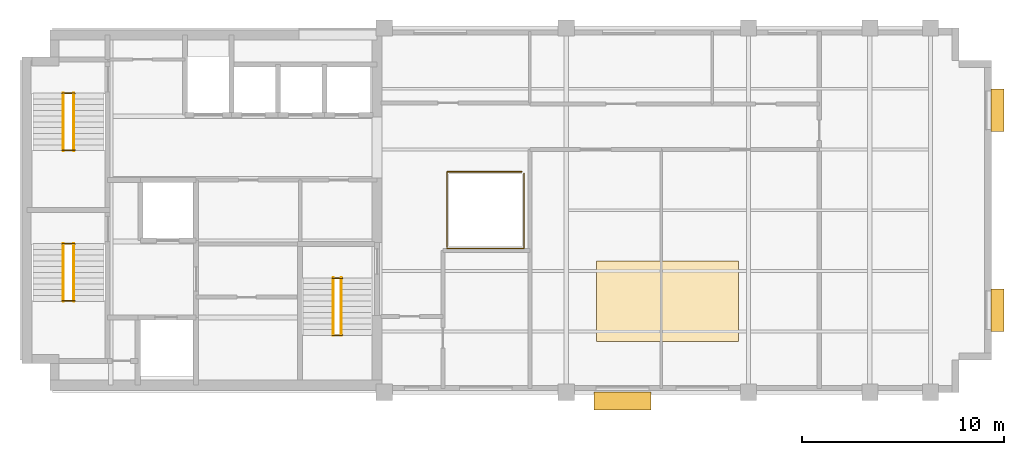
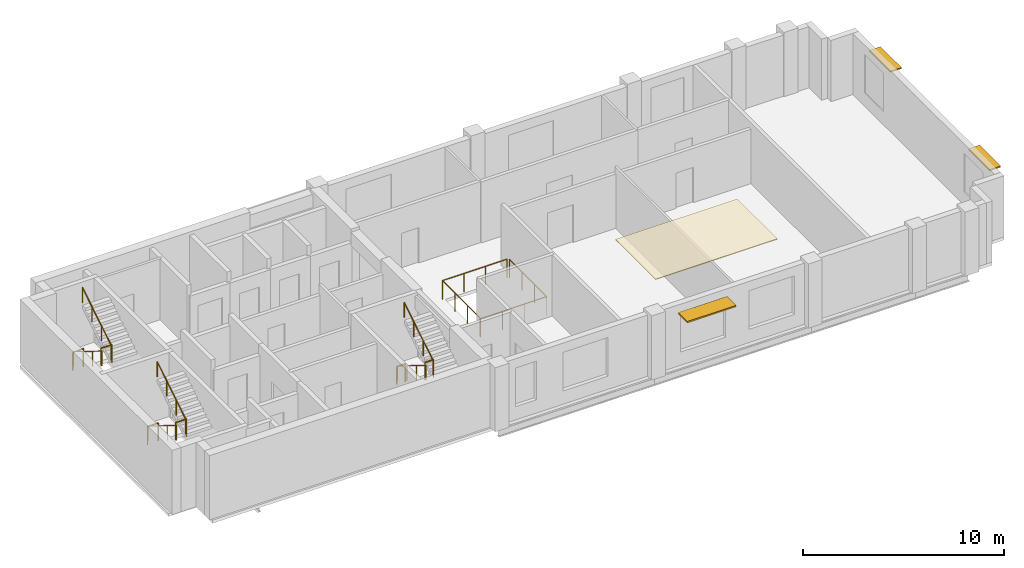
# One storey, part 5 of 5: 14 railings, 3 shading devices, 1 covering.
"""IFC4 building model written with IfcOpenShell, lengths in metres."""

import ifcopenshell
import ifcopenshell.guid

model = None  # the IFC model being written
_history = None  # IfcOwnerHistory: only IFC2X3 demands one
_inside = {}  # id of a spatial element -> (the spatial element, [elements in it])
_under = {}  # id of a project, library or spatial element -> (it, [spatial elements below it])
_declared = {}  # id of a project -> (the project, [libraries it declares])
_typed = {}  # id of a type object -> (the type object, [elements of that type])
_made_of = {}  # id of a material, layer set ... -> (it, [elements and type objects made of it])


def new_model(schema):
    """Start an empty IFC model of exactly this schema.

    Asked for "IFC4X3", IfcOpenShell would pick the latest addendum, in which some entities
    have other attributes; the version numbers below select the first issue.
    IFC2X3 requires an IfcOwnerHistory on every rooted entity: one is made here for all.
    """
    global model, _history
    if schema == "IFC4X3":
        model = ifcopenshell.file(schema_version=(4, 3, 0, 0))
    else:
        model = ifcopenshell.file(schema=schema)
    _inside.clear()
    _under.clear()
    _declared.clear()
    _typed.clear()
    _made_of.clear()
    _history = None
    if model.schema == "IFC2X3":
        org = make("IfcOrganization", Name="unknown")
        user = make(
            "IfcPersonAndOrganization",
            ThePerson=make("IfcPerson", FamilyName="unknown"),
            TheOrganization=org,
        )
        app = make(
            "IfcApplication",
            ApplicationDeveloper=org,
            Version="unknown",
            ApplicationFullName="unknown",
            ApplicationIdentifier="unknown",
        )
        _history = make(
            "IfcOwnerHistory",
            OwningUser=user,
            OwningApplication=app,
            ChangeAction="ADDED",
            CreationDate=0,
        )
    return model


def make(cls, **values):
    """One entity of the class cls with the attributes given. An attribute that is None is left unset."""
    return model.create_entity(
        cls, **{name: value for name, value in values.items() if value is not None}
    )


def rooted(cls, **values):
    """An entity with a GlobalId (a new one), such as an element, a storey or a relation."""
    return make(cls, GlobalId=ifcopenshell.guid.new(), OwnerHistory=_history, **values)


def si_unit(unit_type, name, prefix=None):
    """IfcSIUnit, for example si_unit("LENGTHUNIT", "METRE", prefix="MILLI")."""
    return make("IfcSIUnit", UnitType=unit_type, Prefix=prefix, Name=name)


def assignment(units):
    """IfcUnitAssignment: the units of a project."""
    return None if units is None else make("IfcUnitAssignment", Units=units)


def point(xyz):
    """IfcCartesianPoint."""
    return None if xyz is None else make("IfcCartesianPoint", Coordinates=xyz)


def direction(xyz):
    """IfcDirection."""
    return None if xyz is None else make("IfcDirection", DirectionRatios=xyz)


def frame(location, z_axis=None, x_axis=None):
    """IfcAxis2Placement3D, a coordinate frame: its origin and axes. An axis left out is left unset."""
    return make(
        "IfcAxis2Placement3D",
        Location=point(location),
        Axis=direction(z_axis),
        RefDirection=direction(x_axis),
    )


def frame_2d(location, x_axis=None):
    """IfcAxis2Placement2D, a coordinate frame in the plane: its origin and x axis."""
    return make(
        "IfcAxis2Placement2D", Location=point(location), RefDirection=direction(x_axis)
    )


def origin():
    """The frame at (0, 0, 0) with its axes left unset."""
    return frame((0.0, 0.0, 0.0))


def origin_2d():
    """The frame at (0, 0) in the plane with its x axis left unset."""
    return frame_2d((0.0, 0.0))


def place(relative_to, where):
    """IfcLocalPlacement: puts the frame where relative to a parent placement (None: the world)."""
    return make(
        "IfcLocalPlacement", PlacementRelTo=relative_to, RelativePlacement=where
    )


def context(
    kind, dimensions, precision=None, world=None, true_north=None, identifier=None
):
    """IfcGeometricRepresentationContext, for example the 3D "Model" context."""
    return make(
        "IfcGeometricRepresentationContext",
        ContextIdentifier=identifier,
        ContextType=kind,
        CoordinateSpaceDimension=dimensions,
        Precision=precision,
        WorldCoordinateSystem=world,
        TrueNorth=true_north,
    )


def subcontext(parent, identifier, kind, view, scale=None):
    """IfcGeometricRepresentationSubContext, for example "Body" below "Model"."""
    return make(
        "IfcGeometricRepresentationSubContext",
        ContextIdentifier=identifier,
        ContextType=kind,
        ParentContext=parent,
        TargetScale=scale,
        TargetView=view,
    )


def project(units=None, contexts=None):
    """IfcProject with its units and contexts."""
    return rooted(
        "IfcProject",
        Name="project",
        RepresentationContexts=contexts,
        UnitsInContext=assignment(units),
    )


def spatial(cls, under=None, at=None, **own):
    """A site, building, storey or space (cls), placed at a placement, below another one or the project."""
    s = rooted(cls, ObjectPlacement=at, **own)
    if under is not None:
        _under.setdefault(under.id(), (under, []))[1].append(s)
    return s


def polyline(points):
    """IfcPolyline through the points."""
    return make("IfcPolyline", Points=[point(p) for p in points])


def profile(cls, at=None, kind="AREA", **sizes):
    """A parametric profile (cls). Its sizes go by their IFC names, for example OverallWidth=200.0."""
    return make(cls, ProfileType=kind, Position=at, **sizes)


def rectangle(**sizes):
    """IfcRectangleProfileDef."""
    return profile("IfcRectangleProfileDef", **sizes)


def circle(**sizes):
    """IfcCircleProfileDef."""
    return profile("IfcCircleProfileDef", **sizes)


def outline(outer, holes=None, kind="AREA"):
    """IfcArbitraryClosedProfileDef: a profile drawn as a closed curve; with holes, ...WithVoids."""
    if holes is None:
        return make("IfcArbitraryClosedProfileDef", ProfileType=kind, OuterCurve=outer)
    return make(
        "IfcArbitraryProfileDefWithVoids",
        ProfileType=kind,
        OuterCurve=outer,
        InnerCurves=holes,
    )


def extrude(swept, where, along, depth):
    """IfcExtrudedAreaSolid: the profile swept, set in the frame where, extruded along a direction by depth."""
    return make(
        "IfcExtrudedAreaSolid",
        SweptArea=swept,
        Position=where,
        ExtrudedDirection=direction(along),
        Depth=depth,
    )


def shape(context_of_items, identifier, shape_type, items):
    """IfcShapeRepresentation: the items that make up one representation, for example the "Body"."""
    return make(
        "IfcShapeRepresentation",
        ContextOfItems=context_of_items,
        RepresentationIdentifier=identifier,
        RepresentationType=shape_type,
        Items=items,
    )


def material(Name=None, Category=None):
    """IfcMaterial."""
    return make("IfcMaterial", Name=Name, Category=Category)


def layer(
    of_material, thickness, ventilated=None, Name=None, Category=None, Priority=None
):
    """IfcMaterialLayer: one layer of a wall or slab, of a material (None: an air gap)."""
    return make(
        "IfcMaterialLayer",
        Material=of_material,
        LayerThickness=thickness,
        IsVentilated=ventilated,
        Name=Name,
        Category=Category,
        Priority=Priority,
    )


def layer_set(layers, Name=None):
    """IfcMaterialLayerSet."""
    return make("IfcMaterialLayerSet", MaterialLayers=layers, LayerSetName=Name)


def made_of(thing, what):
    """Note that an element or type object is made of a material, layer set ...; save() writes the relation."""
    if what is not None:
        _made_of.setdefault(what.id(), (what, []))[1].append(thing)
    return thing


def type_object(cls, material=None, **own):
    """A type object (cls), such as IfcWallType, which elements share."""
    return made_of(rooted(cls, **own), material)


def element(
    cls,
    number,
    at=None,
    inside=None,
    cuts=None,
    type_object=None,
    material=None,
    context=None,
    identifier="Body",
    shape_type=None,
    held_by="IfcProductDefinitionShape",
    body=None,
    shapes=None,
    **own,
):
    """One element of the class cls, such as IfcWall. Its Tag is "e" and its number.

    at: its placement. inside: the storey or other place that contains it. cuts: it is an
    opening in that element (IfcRelVoidsElement). A single representation is given by context,
    identifier, shape_type and body (its items); several are given by shapes. held_by: the class
    of the entity that holds the representations. save() writes the other relations.
    """
    e = rooted(cls, Tag="e%d" % number, ObjectPlacement=at, **own)
    if body is not None:
        shapes = [shape(context, identifier, shape_type, body)]
    if shapes is not None:
        e.Representation = make(held_by, Representations=shapes)
    if inside is not None:
        _inside.setdefault(inside.id(), (inside, []))[1].append(e)
    if cuts is not None:
        rooted(
            "IfcRelVoidsElement", RelatingBuildingElement=cuts, RelatedOpeningElement=e
        )
    if type_object is not None:
        _typed.setdefault(type_object.id(), (type_object, []))[1].append(e)
    return made_of(e, material)


def aggregate(whole, parts):
    """IfcRelAggregates: a whole, such as a stair, and the parts it consists of."""
    return rooted("IfcRelAggregates", RelatingObject=whole, RelatedObjects=parts)


def save(model, path):
    """Write the relations noted so far, then the file.

    IfcRelAggregates (storeys below a building ...), IfcRelContainedInSpatialStructure (elements
    in a storey), IfcRelDefinesByType, IfcRelAssociatesMaterial and IfcRelDeclares: one each for
    every whole, place, type object, material and project.
    """
    for whole, parts in _under.values():
        aggregate(whole, parts)
    for where, things in _inside.values():
        rooted(
            "IfcRelContainedInSpatialStructure",
            RelatedElements=things,
            RelatingStructure=where,
        )
    for kind, things in _typed.values():
        rooted("IfcRelDefinesByType", RelatedObjects=things, RelatingType=kind)
    for what, things in _made_of.values():
        rooted("IfcRelAssociatesMaterial", RelatedObjects=things, RelatingMaterial=what)
    for by, libraries in _declared.values():
        rooted("IfcRelDeclares", RelatingContext=by, RelatedDefinitions=libraries)
    model.write(path)


model = new_model("IFC4")

# Units and contexts
model_context = context("Model", 3, precision=1e-05, world=origin(), true_north=direction((0.0, 1.0)))
body_context = subcontext(model_context, "Body", "Model", "MODEL_VIEW")
ifc_project = project(units=[si_unit("LENGTHUNIT", "METRE"), si_unit("AREAUNIT", "SQUARE_METRE"), si_unit("VOLUMEUNIT", "CUBIC_METRE"), si_unit("PLANEANGLEUNIT", "RADIAN"), si_unit("MASSUNIT", "GRAM", prefix="KILO")], contexts=[model_context])

# Site, building, storey
site_placement = place(None, origin())
site = spatial("IfcSite", under=ifc_project, at=site_placement, CompositionType="ELEMENT")
building_placement = place(site_placement, origin())
building = spatial("IfcBuilding", under=site, at=building_placement, Name="Mawjdan Bourse Tower", CompositionType="ELEMENT")
storey_placement = place(building_placement, frame((0.0, 0.0, 270.300048828125)))
storey = spatial("IfcBuildingStorey", under=building, at=storey_placement, Name="L66", CompositionType="ELEMENT", Elevation=270.300048828125)

# Covering
ifc_material_1 = material(Name="Perforated Mineral-Fibre Acoustic Ceiling")
ifc_layer_1 = layer(ifc_material_1, 0.044921875)
ifc_layer_set_1 = layer_set([ifc_layer_1], Name="Perforated Mineral-Fibre Acoustic Ceiling")
covering_type = type_object("IfcCoveringType", Name="COV-CLG-AC", PredefinedType="CEILING", material=ifc_layer_set_1)
covering_placement = place(storey_placement, frame((0.0, 0.0, 3.669921875)))
element("IfcCovering", 1, at=covering_placement, inside=storey, type_object=covering_type, Name="L66 Suspended Acoustic Ceiling", PredefinedType="CEILING", context=body_context, shape_type="SweptSolid", body=[
    extrude(outline(polyline([(34.5, 5.5), (41.5, 5.5), (41.5, 9.5), (34.5, 9.5), (34.5, 5.5)])), origin(), (0.0, 0.0, 1.0), 0.044921875),
])

# Railings
ifc_material_2 = material(Name="Stainless Steel and Laminated Glass", Category="steel")
railing_type_1 = type_object("IfcRailingType", Name="RLG-BAL-1150", PredefinedType="BALUSTRADE", material=ifc_material_2)
railing_1_placement = place(storey_placement, frame((27.10009765625, 10.10009765625, 0.0)))
element("IfcRailing", 2, at=railing_1_placement, inside=storey, type_object=railing_type_1, Name="L66 Summit Atrium Lightwell Balustrade SE", PredefinedType="BALUSTRADE", context=body_context, shape_type="SweptSolid", body=[
    extrude(circle(Radius=0.02685546875, at=origin_2d()), frame((0.0, 0.0, 1.123046875), z_axis=(1.0, 0.0, 0.0), x_axis=(0.0, 1.0, 0.0)), (0.0, 0.0, 1.0), 3.7998046875),
    extrude(circle(Radius=0.02685546875, at=origin_2d()), frame((3.7998046875, 0.0, 1.123046875), z_axis=(0.0, 1.0, 0.0), x_axis=(-1.0, 0.0, 0.0)), (0.0, 0.0, 1.0), 3.719970703125),
    extrude(circle(Radius=0.02294921875, at=origin_2d()), origin(), (0.0, 0.0, 1.0), 1.095947265625),
    extrude(circle(Radius=0.02294921875, at=origin_2d()), frame((1.2666015625, 0.0, 0.0)), (0.0, 0.0, 1.0), 1.095947265625),
    extrude(circle(Radius=0.02294921875, at=origin_2d()), frame((2.533203125, 0.0, 0.0)), (0.0, 0.0, 1.0), 1.095947265625),
    extrude(circle(Radius=0.02294921875, at=origin_2d()), frame((3.7998046875, 0.0, 0.0)), (0.0, 0.0, 1.0), 1.095947265625),
    extrude(circle(Radius=0.02294921875, at=origin_2d()), frame((3.7998046875, 1.239990234375, 0.0)), (0.0, 0.0, 1.0), 1.095947265625),
    extrude(circle(Radius=0.02294921875, at=origin_2d()), frame((3.7998046875, 2.47998046875, 0.0)), (0.0, 0.0, 1.0), 1.095947265625),
    extrude(circle(Radius=0.02294921875, at=origin_2d()), frame((3.7998046875, 3.719970703125, 0.0)), (0.0, 0.0, 1.0), 1.095947265625),
])
railing_2_placement = place(storey_placement, frame((30.820068359375, 13.89990234375, 0.0)))
element("IfcRailing", 3, at=railing_2_placement, inside=storey, type_object=railing_type_1, Name="L66 Summit Atrium Lightwell Balustrade NW", PredefinedType="BALUSTRADE", context=body_context, shape_type="SweptSolid", body=[
    extrude(circle(Radius=0.02685546875, at=origin_2d()), frame((0.0, 0.0, 1.123046875), z_axis=(-1.0, 0.0, 0.0), x_axis=(0.0, -1.0, 0.0)), (0.0, 0.0, 1.0), 3.719970703125),
    extrude(circle(Radius=0.02685546875, at=origin_2d()), frame((-3.719970703125, 0.0, 1.123046875), z_axis=(0.0, -1.0, 0.0), x_axis=(1.0, 0.0, 0.0)), (0.0, 0.0, 1.0), 3.719970703125),
    extrude(circle(Radius=0.02294921875, at=origin_2d()), origin(), (0.0, 0.0, 1.0), 1.095947265625),
    extrude(circle(Radius=0.02294921875, at=origin_2d()), frame((-1.239990234375, 0.0, 0.0)), (0.0, 0.0, 1.0), 1.095947265625),
    extrude(circle(Radius=0.02294921875, at=origin_2d()), frame((-2.47998046875, 0.0, 0.0)), (0.0, 0.0, 1.0), 1.095947265625),
    extrude(circle(Radius=0.02294921875, at=origin_2d()), frame((-3.719970703125, 0.0, 0.0)), (0.0, 0.0, 1.0), 1.095947265625),
    extrude(circle(Radius=0.02294921875, at=origin_2d()), frame((-3.719970703125, -1.239990234375, 0.0)), (0.0, 0.0, 1.0), 1.095947265625),
    extrude(circle(Radius=0.02294921875, at=origin_2d()), frame((-3.719970703125, -2.47998046875, 0.0)), (0.0, 0.0, 1.0), 1.095947265625),
    extrude(circle(Radius=0.02294921875, at=origin_2d()), frame((-3.719970703125, -3.719970703125, 0.0)), (0.0, 0.0, 1.0), 1.095947265625),
])
ifc_material_3 = material(Name="Structural Steel S355", Category="steel")
railing_type_2 = type_object("IfcRailingType", Name="RLG-GRD-1100", PredefinedType="GUARDRAIL", material=ifc_material_3)
for number, where, name in (
    (4, (8.090087890625, 7.52001953125, 1.949951171875), "L66 ST1 Landing Guardrail GL-MID"),
    (5, (8.090087890625, 10.330078125, 0.0), "L66 ST1 Landing Guardrail GL-BOT"),
    (6, (8.090087890625, 14.9599609375, 1.949951171875), "L66 ST2 Landing Guardrail GL-MID"),
    (7, (8.090087890625, 17.77001953125, 0.0), "L66 ST2 Landing Guardrail GL-BOT"),
):
    element("IfcRailing", number, at=place(storey_placement, frame(where)), inside=storey, type_object=railing_type_2, Name=name, PredefinedType="GUARDRAIL", context=body_context, shape_type="SweptSolid", body=[
        extrude(circle(Radius=0.02490234375, at=origin_2d()), frame((0.0, 0.0, 1.0751953125), z_axis=(1.0, 0.0, 0.0), x_axis=(0.0, 1.0, 0.0)), (0.0, 0.0, 1.0), 0.619873046875),
        extrude(circle(Radius=0.02099609375, at=origin_2d()), origin(), (0.0, 0.0, 1.0), 1.050048828125),
        extrude(circle(Radius=0.02099609375, at=origin_2d()), frame((0.619873046875, 0.0, 0.0)), (0.0, 0.0, 1.0), 1.050048828125),
    ])
for number, where, name in (
    (8, (21.43994140625, 5.830078125, 1.949951171875), "L66 ST7 Landing Guardrail GL-MID"),
    (9, (21.43994140625, 8.639892578125, 0.0), "L66 ST7 Landing Guardrail GL-BOT"),
):
    element("IfcRailing", number, at=place(storey_placement, frame(where)), inside=storey, type_object=railing_type_2, Name=name, PredefinedType="GUARDRAIL", context=body_context, shape_type="SweptSolid", body=[
        extrude(circle(Radius=0.02490234375, at=origin_2d()), frame((0.0, 0.0, 1.0751953125), z_axis=(1.0, 0.0, 0.0), x_axis=(0.0, 1.0, 0.0)), (0.0, 0.0, 1.0), 0.489990234375),
        extrude(circle(Radius=0.02099609375, at=origin_2d()), origin(), (0.0, 0.0, 1.0), 1.050048828125),
        extrude(circle(Radius=0.02099609375, at=origin_2d()), frame((0.489990234375, 0.0, 0.0)), (0.0, 0.0, 1.0), 1.050048828125),
    ])
ifc_material_4 = material(Name="Brushed Stainless Steel", Category="steel")
railing_type_3 = type_object("IfcRailingType", Name="RLG-HND-920", PredefinedType="HANDRAIL", material=ifc_material_4)
railing_3_placement = place(storey_placement, frame((8.139892578125, 10.35009765625, 0.17724609375)))
element("IfcRailing", 10, at=railing_3_placement, inside=storey, type_object=railing_type_3, Name="L66 ST1 Flight Handrail HR1", PredefinedType="HANDRAIL", context=body_context, shape_type="SweptSolid", body=[
    extrude(circle(Radius=0.0224609375, at=origin_2d()), frame((0.0, 0.0, 0.8974609375), z_axis=(0.0, -0.849148672731, 0.528153890072), x_axis=(1.0, 0.0, 0.0)), (0.0, 0.0, 1.0), 3.3564453125),
    extrude(circle(Radius=0.01904296875, at=origin_2d()), origin(), (0.0, 0.0, 1.0), 0.875),
    extrude(circle(Radius=0.01904296875, at=origin_2d()), frame((0.0, -0.949951171875, 0.5908203125)), (0.0, 0.0, 1.0), 0.875),
    extrude(circle(Radius=0.01904296875, at=origin_2d()), frame((0.0, -1.900146484375, 1.181884765625)), (0.0, 0.0, 1.0), 0.875),
    extrude(circle(Radius=0.01904296875, at=origin_2d()), frame((0.0, -2.85009765625, 1.772705078125)), (0.0, 0.0, 1.0), 0.875),
])
railing_4_placement = place(storey_placement, frame((8.659912109375, 7.5, 2.127197265625)))
element("IfcRailing", 11, at=railing_4_placement, inside=storey, type_object=railing_type_3, Name="L66 ST1 Flight Handrail HR2", PredefinedType="HANDRAIL", context=body_context, shape_type="SweptSolid", body=[
    extrude(circle(Radius=0.0224609375, at=origin_2d()), frame((0.0, 0.0, 0.8974609375), z_axis=(0.0, 0.849148672731, 0.528153890072), x_axis=(-1.0, 0.0, 0.0)), (0.0, 0.0, 1.0), 3.3564453125),
    extrude(circle(Radius=0.01904296875, at=origin_2d()), origin(), (0.0, 0.0, 1.0), 0.875),
    extrude(circle(Radius=0.01904296875, at=origin_2d()), frame((0.0, 0.949951171875, 0.5908203125)), (0.0, 0.0, 1.0), 0.875),
    extrude(circle(Radius=0.01904296875, at=origin_2d()), frame((0.0, 1.900146484375, 1.181884765625)), (0.0, 0.0, 1.0), 0.875),
    extrude(circle(Radius=0.01904296875, at=origin_2d()), frame((0.0, 2.85009765625, 1.772705078125)), (0.0, 0.0, 1.0), 0.875),
])
railing_5_placement = place(storey_placement, frame((8.139892578125, 17.7900390625, 0.17724609375)))
element("IfcRailing", 12, at=railing_5_placement, inside=storey, type_object=railing_type_3, Name="L66 ST2 Flight Handrail HR1", PredefinedType="HANDRAIL", context=body_context, shape_type="SweptSolid", body=[
    extrude(circle(Radius=0.0224609375, at=origin_2d()), frame((0.0, 0.0, 0.8974609375), z_axis=(0.0, -0.849148672731, 0.528153890072), x_axis=(1.0, 0.0, 0.0)), (0.0, 0.0, 1.0), 3.3564453125),
    extrude(circle(Radius=0.01904296875, at=origin_2d()), origin(), (0.0, 0.0, 1.0), 0.875),
    extrude(circle(Radius=0.01904296875, at=origin_2d()), frame((0.0, -0.949951171875, 0.5908203125)), (0.0, 0.0, 1.0), 0.875),
    extrude(circle(Radius=0.01904296875, at=origin_2d()), frame((0.0, -1.900146484375, 1.181884765625)), (0.0, 0.0, 1.0), 0.875),
    extrude(circle(Radius=0.01904296875, at=origin_2d()), frame((0.0, -2.85009765625, 1.772705078125)), (0.0, 0.0, 1.0), 0.875),
])
railing_6_placement = place(storey_placement, frame((8.659912109375, 14.93994140625, 2.127197265625)))
element("IfcRailing", 13, at=railing_6_placement, inside=storey, type_object=railing_type_3, Name="L66 ST2 Flight Handrail HR2", PredefinedType="HANDRAIL", context=body_context, shape_type="SweptSolid", body=[
    extrude(circle(Radius=0.0224609375, at=origin_2d()), frame((0.0, 0.0, 0.8974609375), z_axis=(0.0, 0.849148672731, 0.528153890072), x_axis=(-1.0, 0.0, 0.0)), (0.0, 0.0, 1.0), 3.3564453125),
    extrude(circle(Radius=0.01904296875, at=origin_2d()), origin(), (0.0, 0.0, 1.0), 0.875),
    extrude(circle(Radius=0.01904296875, at=origin_2d()), frame((0.0, 0.949951171875, 0.5908203125)), (0.0, 0.0, 1.0), 0.875),
    extrude(circle(Radius=0.01904296875, at=origin_2d()), frame((0.0, 1.900146484375, 1.181884765625)), (0.0, 0.0, 1.0), 0.875),
    extrude(circle(Radius=0.01904296875, at=origin_2d()), frame((0.0, 2.85009765625, 1.772705078125)), (0.0, 0.0, 1.0), 0.875),
])
railing_7_placement = place(storey_placement, frame((21.489990234375, 8.659912109375, 0.17724609375)))
element("IfcRailing", 14, at=railing_7_placement, inside=storey, type_object=railing_type_3, Name="L66 ST7 Flight Handrail HR1", PredefinedType="HANDRAIL", context=body_context, shape_type="SweptSolid", body=[
    extrude(circle(Radius=0.0224609375, at=origin_2d()), frame((0.0, 0.0, 0.8974609375), z_axis=(0.0, -0.849128380713, 0.528186513523), x_axis=(1.0, 0.0, 0.0)), (0.0, 0.0, 1.0), 3.356201171875),
    extrude(circle(Radius=0.01904296875, at=origin_2d()), origin(), (0.0, 0.0, 1.0), 0.875),
    extrude(circle(Radius=0.01904296875, at=origin_2d()), frame((0.0, -0.949951171875, 0.5908203125)), (0.0, 0.0, 1.0), 0.875),
    extrude(circle(Radius=0.01904296875, at=origin_2d()), frame((0.0, -1.89990234375, 1.181884765625)), (0.0, 0.0, 1.0), 0.875),
    extrude(circle(Radius=0.01904296875, at=origin_2d()), frame((0.0, -2.849853515625, 1.772705078125)), (0.0, 0.0, 1.0), 0.875),
])
railing_8_placement = place(storey_placement, frame((21.8798828125, 5.81005859375, 2.127197265625)))
element("IfcRailing", 15, at=railing_8_placement, inside=storey, type_object=railing_type_3, Name="L66 ST7 Flight Handrail HR2", PredefinedType="HANDRAIL", context=body_context, shape_type="SweptSolid", body=[
    extrude(circle(Radius=0.0224609375, at=origin_2d()), frame((0.0, 0.0, 0.8974609375), z_axis=(0.0, 0.849128380713, 0.528186513523), x_axis=(-1.0, 0.0, 0.0)), (0.0, 0.0, 1.0), 3.356201171875),
    extrude(circle(Radius=0.01904296875, at=origin_2d()), origin(), (0.0, 0.0, 1.0), 0.875),
    extrude(circle(Radius=0.01904296875, at=origin_2d()), frame((0.0, 0.949951171875, 0.5908203125)), (0.0, 0.0, 1.0), 0.875),
    extrude(circle(Radius=0.01904296875, at=origin_2d()), frame((0.0, 1.89990234375, 1.181884765625)), (0.0, 0.0, 1.0), 0.875),
    extrude(circle(Radius=0.01904296875, at=origin_2d()), frame((0.0, 2.849853515625, 1.772705078125)), (0.0, 0.0, 1.0), 0.875),
])

# Shading devices
ifc_material_5 = material(Name="Bronze Anodised Aluminium", Category="aluminium")
ifc_layer_2 = layer(ifc_material_5, 0.074951171875)
ifc_layer_set_2 = layer_set([ifc_layer_2], Name="Bronze Anodised Aluminium")
shading_device_type_1 = type_object("IfcShadingDeviceType", Name="SHD-SUN-650", PredefinedType="USERDEFINED", material=ifc_layer_set_2)
for number, where, z_axis, x_axis, name in (
    (16, (54.304931640625, 7.066650390625, 3.14990234375), (0.0, 0.0, 1.0), (0.0, 1.0, 0.0), "L66 Solar Window Hood 02"),
    (17, (54.304931640625, 16.933349609375, 3.14990234375), (0.0, 0.0, 1.0), (0.0, 1.0, 0.0), "L66 Solar Window Hood 03"),
):
    element("IfcShadingDevice", number, at=place(storey_placement, frame(where, z_axis=z_axis, x_axis=x_axis)), inside=storey, type_object=shading_device_type_1, Name=name, ObjectType="SUNSHADE", PredefinedType="USERDEFINED", context=body_context, shape_type="SweptSolid", body=[
        extrude(rectangle(XDim=2.10009765625, YDim=0.64990234375, at=origin_2d()), origin(), (0.0, 0.0, 1.0), 0.074951171875),
    ])
ifc_layer_3 = layer(ifc_material_5, 0.0849609375)
ifc_layer_set_3 = layer_set([ifc_layer_3], Name="Bronze Anodised Aluminium")
shading_device_type_2 = type_object("IfcShadingDeviceType", Name="SHD-SUN-900", PredefinedType="USERDEFINED", material=ifc_layer_set_3)
shading_device_placement = place(storey_placement, frame((35.77490234375, 2.570068359375, 3.14990234375), z_axis=(0.0, 0.0, 1.0), x_axis=(1.0, 0.0, 0.0)))
element("IfcShadingDevice", 18, at=shading_device_placement, inside=storey, type_object=shading_device_type_2, Name="L66 Solar Window Hood 01", ObjectType="SUNSHADE", PredefinedType="USERDEFINED", context=body_context, shape_type="SweptSolid", body=[
    extrude(rectangle(XDim=2.800048828125, YDim=0.89990234375, at=origin_2d()), origin(), (0.0, 0.0, 1.0), 0.0849609375),
])

save(model, "model.ifc")
